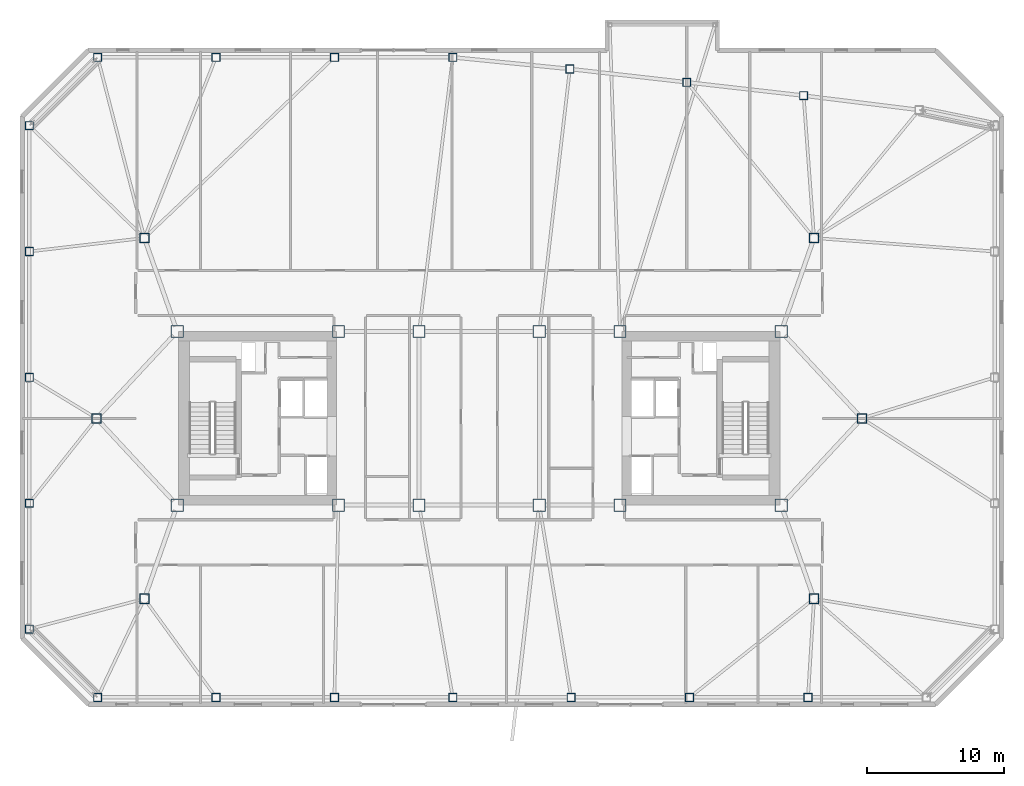
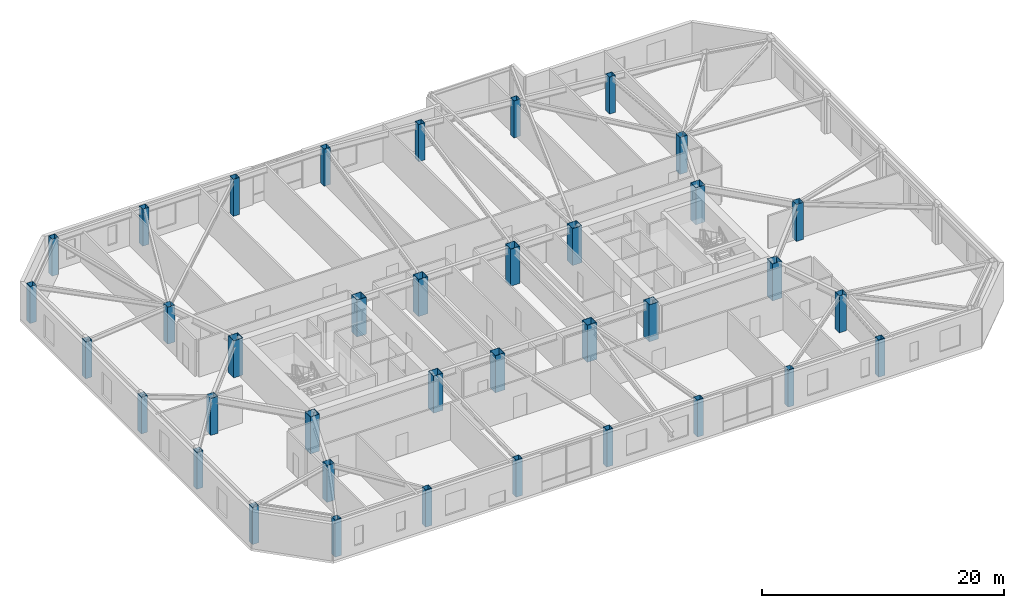
# One storey, part 1 of 18: 37 columns.
"""IFC4 building model written with IfcOpenShell, lengths in metres."""

from ifc_helpers import new_model, si_unit, direction, frame, origin, origin_2d, place, context, subcontext, project, spatial, hollow_rectangle, extrude, material, material_profile, profile_set, type_object, element, save


model = new_model("IFC4")

# Units and contexts
model_context = context("Model", 3, precision=1e-05, world=origin(), true_north=direction((0.0, 1.0)))
body_context = subcontext(model_context, "Body", "Model", "MODEL_VIEW")
ifc_project = project(units=[si_unit("LENGTHUNIT", "METRE"), si_unit("AREAUNIT", "SQUARE_METRE"), si_unit("VOLUMEUNIT", "CUBIC_METRE"), si_unit("PLANEANGLEUNIT", "RADIAN"), si_unit("MASSUNIT", "GRAM", prefix="KILO")], contexts=[model_context])

# Site, building, storey
site_placement = place(None, origin())
site = spatial("IfcSite", under=ifc_project, at=site_placement, CompositionType="ELEMENT")
building_placement = place(site_placement, origin())
building = spatial("IfcBuilding", under=site, at=building_placement, Name="Tavrogorsk Clinical Tower", CompositionType="ELEMENT")
storey_placement = place(building_placement, frame((0.0, 0.0, 184.199951171875)))
storey = spatial("IfcBuildingStorey", under=building, at=storey_placement, Name="L42", CompositionType="ELEMENT", Elevation=184.199951171875)

# Columns
ifc_material_1 = material(Name="Structural steel S440", Category="steel")
ifc_material_profile_1 = material_profile(ifc_material_1, hollow_rectangle(XDim=0.699951171875, YDim=0.699951171875, WallThickness=0.031982421875, at=origin_2d()), Name="BOX-700x700x32")
ifc_profile_set_1 = profile_set([ifc_material_profile_1], Name="Structural steel S440")
column_type_1 = type_object("IfcColumnType", Name="MegaCol_BOX700", PredefinedType="COLUMN", material=ifc_profile_set_1)
for number, where, z_axis, x_axis, name in (
    (1, (-24.5, -13.199951171875, 0.0), (0.0, 0.0, 1.0), (1.0, 0.0, 0.0), "L42 Spine Pilotis Column MC-P1"),
    (2, (24.5, -13.199951171875, 0.0), (0.0, 0.0, 1.0), (1.0, 0.0, 0.0), "L42 Spine Pilotis Column MC-P2"),
    (3, (-24.5, 13.199951171875, 0.0), (0.0, 0.0, 1.0), (1.0, 0.0, 0.0), "L42 Spine Pilotis Column MC-P3"),
    (4, (24.5, 13.199951171875, 0.0), (0.0, 0.0, 1.0), (1.0, 0.0, 0.0), "L42 Spine Pilotis Column MC-P4"),
    (5, (-28.0, 0.0, 0.0), (0.0, 0.0, 1.0), (1.0, 0.0, 0.0), "L42 Spine Pilotis Column MC-P5"),
    (6, (28.0, 0.0, 0.0), (0.0, 0.0, 1.0), (1.0, 0.0, 0.0), "L42 Spine Pilotis Column MC-P6"),
):
    element("IfcColumn", number, at=place(storey_placement, frame(where, z_axis=z_axis, x_axis=x_axis)), inside=storey, type_object=column_type_1, Name=name, PredefinedType="COLUMN", context=body_context, shape_type="SweptSolid", body=[
        extrude(hollow_rectangle(XDim=0.699951171875, YDim=0.699951171875, WallThickness=0.031982421875, at=origin_2d()), origin(), (0.0, 0.0, 1.0), 3.739990234375),
    ])
ifc_material_2 = material(Name="Structural steel S440", Category="steel")
ifc_material_profile_2 = material_profile(ifc_material_2, hollow_rectangle(XDim=0.89990234375, YDim=0.89990234375, WallThickness=0.0400390625, at=origin_2d()), Name="BOX-900x900x40")
ifc_profile_set_2 = profile_set([ifc_material_profile_2], Name="Structural steel S440")
column_type_2 = type_object("IfcColumnType", Name="MegaCol_BOX900", PredefinedType="COLUMN", material=ifc_profile_set_2)
for number, where, z_axis, x_axis, name in (
    (7, (-22.10009765625, -6.35009765625, 0.0), (0.0, 0.0, 1.0), (1.0, 0.0, 0.0), "L42 Mega Column MC-W1"),
    (8, (-22.10009765625, 6.35009765625, 0.0), (0.0, 0.0, 1.0), (1.0, 0.0, 0.0), "L42 Mega Column MC-W2"),
    (9, (-10.300048828125, -6.35009765625, 0.0), (0.0, 0.0, 1.0), (1.0, 0.0, 0.0), "L42 Mega Column MC-W3"),
    (10, (-10.300048828125, 6.35009765625, 0.0), (0.0, 0.0, 1.0), (1.0, 0.0, 0.0), "L42 Mega Column MC-W4"),
    (11, (10.300048828125, -6.35009765625, 0.0), (0.0, 0.0, 1.0), (1.0, 0.0, 0.0), "L42 Mega Column MC-E1"),
    (12, (10.300048828125, 6.35009765625, 0.0), (0.0, 0.0, 1.0), (1.0, 0.0, 0.0), "L42 Mega Column MC-E2"),
    (13, (22.10009765625, -6.35009765625, 0.0), (0.0, 0.0, 1.0), (1.0, 0.0, 0.0), "L42 Mega Column MC-E3"),
    (14, (22.10009765625, 6.35009765625, 0.0), (0.0, 0.0, 1.0), (1.0, 0.0, 0.0), "L42 Mega Column MC-E4"),
    (15, (-4.39990234375, -6.35009765625, 0.0), (0.0, 0.0, 1.0), (1.0, 0.0, 0.0), "L42 Mega Column MC-C1"),
    (16, (4.39990234375, -6.35009765625, 0.0), (0.0, 0.0, 1.0), (1.0, 0.0, 0.0), "L42 Mega Column MC-C2"),
    (17, (-4.39990234375, 6.35009765625, 0.0), (0.0, 0.0, 1.0), (1.0, 0.0, 0.0), "L42 Mega Column MC-C3"),
    (18, (4.39990234375, 6.35009765625, 0.0), (0.0, 0.0, 1.0), (1.0, 0.0, 0.0), "L42 Mega Column MC-C4"),
):
    element("IfcColumn", number, at=place(storey_placement, frame(where, z_axis=z_axis, x_axis=x_axis)), inside=storey, type_object=column_type_2, Name=name, PredefinedType="COLUMN", context=body_context, shape_type="SweptSolid", body=[
        extrude(hollow_rectangle(XDim=0.89990234375, YDim=0.89990234375, WallThickness=0.0400390625, at=origin_2d()), origin(), (0.0, 0.0, 1.0), 3.739990234375),
    ])
ifc_material_3 = material(Name="Structural steel S440", Category="steel")
ifc_material_profile_3 = material_profile(ifc_material_3, hollow_rectangle(XDim=0.60009765625, YDim=0.60009765625, WallThickness=0.028076171875, at=origin_2d()), Name="BOX-600x600x28")
ifc_profile_set_3 = profile_set([ifc_material_profile_3], Name="Structural steel S440")
column_type_3 = type_object("IfcColumnType", Name="PerimCol_B3_BOX600", PredefinedType="COLUMN", material=ifc_profile_set_3)
for number, where, z_axis, x_axis, name in (
    (19, (-27.919921875, -20.419921875, 0.0), (0.0, 0.0, 1.0), (1.0, 0.0, 0.0), "L42 Perimeter Column S1"),
    (20, (-19.257080078125, -20.419921875, 0.0), (0.0, 0.0, 1.0), (1.0, 0.0, 0.0), "L42 Perimeter Column S2"),
    (21, (-10.59423828125, -20.419921875, 0.0), (0.0, 0.0, 1.0), (1.0, 0.0, 0.0), "L42 Perimeter Column S3"),
    (22, (-1.931396484375, -20.419921875, 0.0), (0.0, 0.0, 1.0), (1.0, 0.0, 0.0), "L42 Perimeter Column S4"),
    (23, (6.7314453125, -20.419921875, 0.0), (0.0, 0.0, 1.0), (1.0, 0.0, 0.0), "L42 Perimeter Column S5"),
    (24, (15.394287109375, -20.419921875, 0.0), (0.0, 0.0, 1.0), (1.0, 0.0, 0.0), "L42 Perimeter Column S6"),
    (25, (24.05712890625, -20.419921875, 0.0), (0.0, 0.0, 1.0), (1.0, 0.0, 0.0), "L42 Perimeter Column S7"),
    (26, (23.73779296875, 23.617919921875, 0.0), (0.0, 0.0, 1.0), (1.0, 0.0, 0.0), "L42 Perimeter Column N2"),
    (27, (15.18603515625, 24.59228515625, 0.0), (0.0, 0.0, 1.0), (1.0, 0.0, 0.0), "L42 Perimeter Column N3"),
    (28, (6.63427734375, 25.566650390625, 0.0), (0.0, 0.0, 1.0), (1.0, 0.0, 0.0), "L42 Perimeter Column N4"),
    (29, (-1.931396484375, 26.419921875, 0.0), (0.0, 0.0, 1.0), (1.0, 0.0, 0.0), "L42 Perimeter Column N5"),
    (30, (-10.59423828125, 26.419921875, 0.0), (0.0, 0.0, 1.0), (1.0, 0.0, 0.0), "L42 Perimeter Column N6"),
    (31, (-19.257080078125, 26.419921875, 0.0), (0.0, 0.0, 1.0), (1.0, 0.0, 0.0), "L42 Perimeter Column N7"),
    (32, (-27.919921875, 26.419921875, 0.0), (0.0, 0.0, 1.0), (1.0, 0.0, 0.0), "L42 Perimeter Column N8"),
    (33, (-32.919921875, 21.419921875, 0.0), (0.0, 0.0, 1.0), (1.0, 0.0, 0.0), "L42 Perimeter Column W1"),
    (34, (-32.919921875, 12.2099609375, 0.0), (0.0, 0.0, 1.0), (1.0, 0.0, 0.0), "L42 Perimeter Column W2"),
    (35, (-32.919921875, 3.0, 0.0), (0.0, 0.0, 1.0), (1.0, 0.0, 0.0), "L42 Perimeter Column W3"),
    (36, (-32.919921875, -6.2099609375, 0.0), (0.0, 0.0, 1.0), (1.0, 0.0, 0.0), "L42 Perimeter Column W4"),
    (37, (-32.919921875, -15.419921875, 0.0), (0.0, 0.0, 1.0), (1.0, 0.0, 0.0), "L42 Perimeter Column W5"),
):
    element("IfcColumn", number, at=place(storey_placement, frame(where, z_axis=z_axis, x_axis=x_axis)), inside=storey, type_object=column_type_3, Name=name, PredefinedType="COLUMN", context=body_context, shape_type="SweptSolid", body=[
        extrude(hollow_rectangle(XDim=0.60009765625, YDim=0.60009765625, WallThickness=0.028076171875, at=origin_2d()), origin(), (0.0, 0.0, 1.0), 3.739990234375),
    ])

save(model, "model.ifc")
